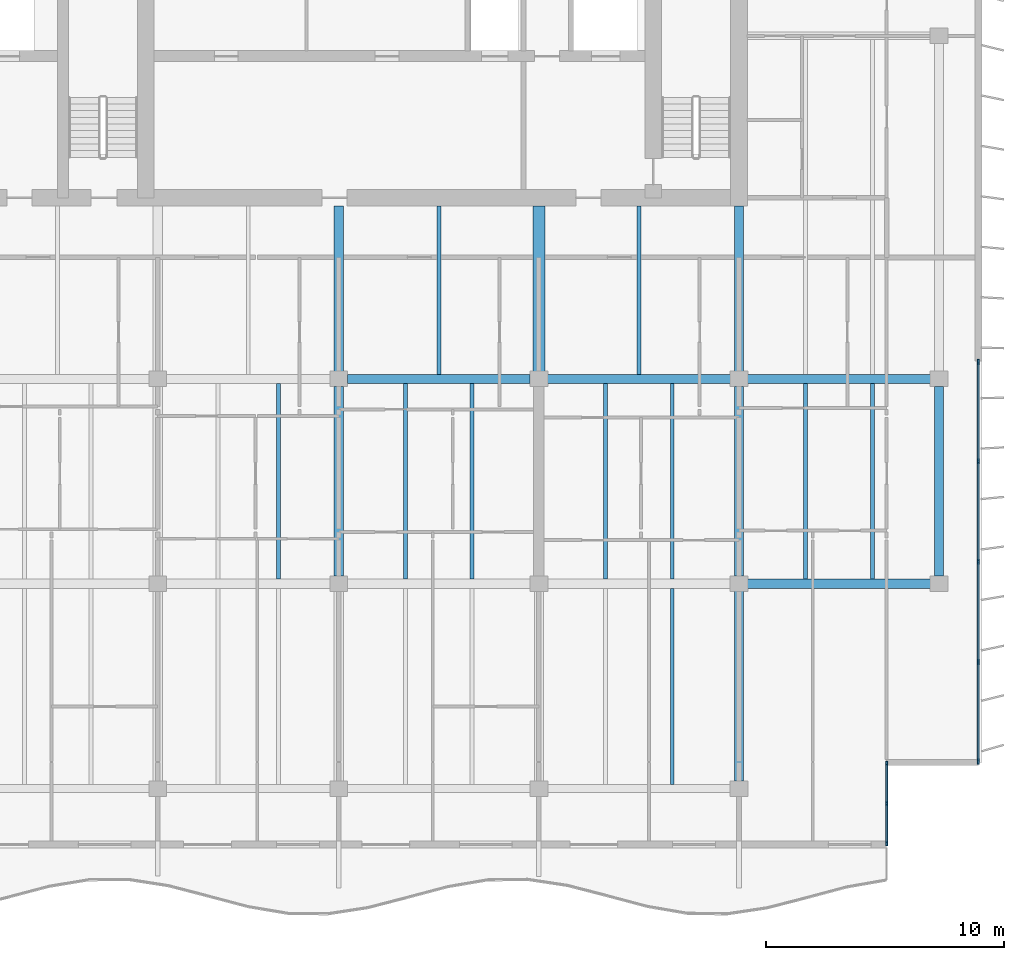
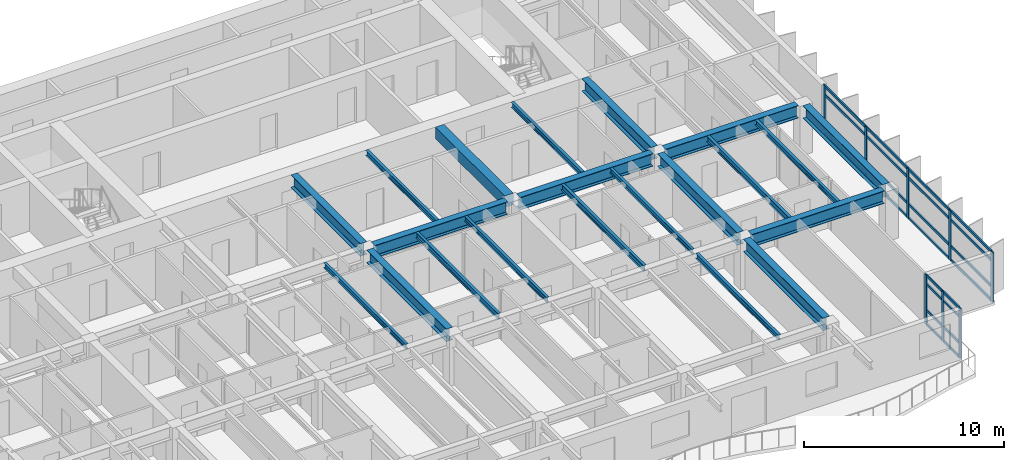
# One storey, part 4 of 17: 32 members, 21 beams, 2 elements without a shape of their own.
"""IFC4 building model written with IfcOpenShell, lengths in metres."""

from ifc_helpers import new_model, si_unit, direction, frame, origin, origin_2d, place, context, subcontext, project, spatial, rectangle, i_section, extrude, material, layer, layer_set, material_profile, profile_set, type_object, element, aggregate, save


model = new_model("IFC4")

# Units and contexts
model_context = context("Model", 3, precision=1e-05, world=origin(), true_north=direction((0.0, 1.0)))
body_context = subcontext(model_context, "Body", "Model", "MODEL_VIEW")
ifc_project = project(units=[si_unit("LENGTHUNIT", "METRE"), si_unit("AREAUNIT", "SQUARE_METRE"), si_unit("VOLUMEUNIT", "CUBIC_METRE"), si_unit("PLANEANGLEUNIT", "RADIAN"), si_unit("MASSUNIT", "GRAM", prefix="KILO")], contexts=[model_context])

# Site, building, storey
site_placement = place(None, origin())
site = spatial("IfcSite", under=ifc_project, at=site_placement, CompositionType="ELEMENT")
building_placement = place(site_placement, origin())
building = spatial("IfcBuilding", under=site, at=building_placement, Name="Caelmar Bay Residences", CompositionType="ELEMENT")
storey_placement = place(building_placement, frame((0.0, 0.0, 229.800048828125)))
storey = spatial("IfcBuildingStorey", under=building, at=storey_placement, Name="L64", CompositionType="ELEMENT", Elevation=229.800048828125)

# Beams
ifc_material_1 = material(Name="Steel ASTM A992 Grade 50", Category="steel")
ifc_material_profile_1 = material_profile(ifc_material_1, i_section(OverallWidth=0.381103515625, OverallDepth=0.77197265625, WebThickness=0.0166015625, FlangeThickness=0.027099609375, FilletRadius=0.0166015625, at=origin_2d()), Name="W30X173")
ifc_profile_set_1 = profile_set([ifc_material_profile_1], Name="Steel ASTM A992 Grade 50")
beam_type_1 = type_object("IfcBeamType", Name="BM-GRD-W30X173", PredefinedType="BEAM", material=ifc_profile_set_1)
beam_1_placement = place(storey_placement, frame((59.864990234375, 20.800048828125, 2.6640625), z_axis=(1.0, 0.0, 0.0), x_axis=(0.0, 1.0, 0.0)))
element("IfcBeam", 1, at=beam_1_placement, inside=storey, type_object=beam_type_1, Name="L64 East-West Girder Y=20.80 (59.5-67.9)", PredefinedType="BEAM", context=body_context, shape_type="SweptSolid", body=[
    extrude(i_section(OverallWidth=0.381103515625, OverallDepth=0.77197265625, WebThickness=0.0166015625, FlangeThickness=0.027099609375, FilletRadius=0.0166015625, at=origin_2d()), origin(), (0.0, 0.0, 1.0), 7.669921875),
])
beam_2_placement = place(storey_placement, frame((43.06494140625, 29.39990234375, 2.6640625), z_axis=(1.0, 0.0, 0.0), x_axis=(0.0, 1.0, 0.0)))
element("IfcBeam", 2, at=beam_2_placement, inside=storey, type_object=beam_type_1, Name="L64 East-West Girder Y=29.40 (42.7-51.1)", PredefinedType="BEAM", context=body_context, shape_type="SweptSolid", body=[
    extrude(i_section(OverallWidth=0.381103515625, OverallDepth=0.77197265625, WebThickness=0.0166015625, FlangeThickness=0.027099609375, FilletRadius=0.0166015625, at=origin_2d()), origin(), (0.0, 0.0, 1.0), 7.670166015625),
])
for number, where, z_axis, x_axis, name in (
    (3, (51.465087890625, 29.39990234375, 2.6640625), (1.0, 0.0, 0.0), (0.0, 1.0, 0.0), "L64 East-West Girder Y=29.40 (51.1-59.5)"),
    (4, (59.864990234375, 29.39990234375, 2.6640625), (1.0, 0.0, 0.0), (0.0, 1.0, 0.0), "L64 East-West Girder Y=29.40 (59.5-67.9)"),
):
    element("IfcBeam", number, at=place(storey_placement, frame(where, z_axis=z_axis, x_axis=x_axis)), inside=storey, type_object=beam_type_1, Name=name, PredefinedType="BEAM", context=body_context, shape_type="SweptSolid", body=[
        extrude(i_section(OverallWidth=0.381103515625, OverallDepth=0.77197265625, WebThickness=0.0166015625, FlangeThickness=0.027099609375, FilletRadius=0.0166015625, at=origin_2d()), origin(), (0.0, 0.0, 1.0), 7.669921875),
    ])
beam_3_placement = place(storey_placement, frame((42.699951171875, 29.715087890625, 2.6640625), z_axis=(0.0, 1.0, 0.0), x_axis=(-1.0, 0.0, 0.0)))
element("IfcBeam", 5, at=beam_3_placement, inside=storey, type_object=beam_type_1, Name="L64 Core Tie Girder X=42.70", PredefinedType="BEAM", context=body_context, shape_type="SweptSolid", body=[
    extrude(i_section(OverallWidth=0.381103515625, OverallDepth=0.77197265625, WebThickness=0.0166015625, FlangeThickness=0.027099609375, FilletRadius=0.0166015625, at=origin_2d()), origin(), (0.0, 0.0, 1.0), 6.934814453125),
])
beam_4_placement = place(storey_placement, frame((42.699951171875, 21.114990234375, 2.6640625), z_axis=(0.0, 1.0, 0.0), x_axis=(-1.0, 0.0, 0.0)))
element("IfcBeam", 6, at=beam_4_placement, inside=storey, type_object=beam_type_1, Name="L64 North-South Girder X=42.70 (20.8-29.4)", PredefinedType="BEAM", context=body_context, shape_type="SweptSolid", body=[
    extrude(i_section(OverallWidth=0.381103515625, OverallDepth=0.77197265625, WebThickness=0.0166015625, FlangeThickness=0.027099609375, FilletRadius=0.0166015625, at=origin_2d()), origin(), (0.0, 0.0, 1.0), 7.969970703125),
])
beam_5_placement = place(storey_placement, frame((59.5, 29.715087890625, 2.6640625), z_axis=(0.0, 1.0, 0.0), x_axis=(-1.0, 0.0, 0.0)))
element("IfcBeam", 7, at=beam_5_placement, inside=storey, type_object=beam_type_1, Name="L64 Core Tie Girder X=59.50", PredefinedType="BEAM", context=body_context, shape_type="SweptSolid", body=[
    extrude(i_section(OverallWidth=0.381103515625, OverallDepth=0.77197265625, WebThickness=0.0166015625, FlangeThickness=0.027099609375, FilletRadius=0.0166015625, at=origin_2d()), origin(), (0.0, 0.0, 1.0), 6.934814453125),
])
beam_6_placement = place(storey_placement, frame((59.5, 12.514892578125, 2.6640625), z_axis=(0.0, 1.0, 0.0), x_axis=(-1.0, 0.0, 0.0)))
element("IfcBeam", 8, at=beam_6_placement, inside=storey, type_object=beam_type_1, Name="L64 North-South Girder X=59.50 (12.2-20.8)", PredefinedType="BEAM", context=body_context, shape_type="SweptSolid", body=[
    extrude(i_section(OverallWidth=0.381103515625, OverallDepth=0.77197265625, WebThickness=0.0166015625, FlangeThickness=0.027099609375, FilletRadius=0.0166015625, at=origin_2d()), origin(), (0.0, 0.0, 1.0), 7.97021484375),
])
for number, where, z_axis, x_axis, name in (
    (9, (59.5, 21.114990234375, 2.6640625), (0.0, 1.0, 0.0), (-1.0, 0.0, 0.0), "L64 North-South Girder X=59.50 (20.8-29.4)"),
    (10, (67.89990234375, 21.114990234375, 2.6640625), (0.0, 1.0, 0.0), (-1.0, 0.0, 0.0), "L64 North-South Girder X=67.90 (20.8-29.4)"),
):
    element("IfcBeam", number, at=place(storey_placement, frame(where, z_axis=z_axis, x_axis=x_axis)), inside=storey, type_object=beam_type_1, Name=name, PredefinedType="BEAM", context=body_context, shape_type="SweptSolid", body=[
        extrude(i_section(OverallWidth=0.381103515625, OverallDepth=0.77197265625, WebThickness=0.0166015625, FlangeThickness=0.027099609375, FilletRadius=0.0166015625, at=origin_2d()), origin(), (0.0, 0.0, 1.0), 7.969970703125),
    ])
ifc_material_profile_2 = material_profile(ifc_material_1, i_section(OverallWidth=0.1650390625, OverallDepth=0.31005859375, WebThickness=0.005859375, FlangeThickness=0.009765625, FilletRadius=0.007568359375, at=origin_2d()), Name="W12X26")
ifc_profile_set_2 = profile_set([ifc_material_profile_2], Name="Steel ASTM A992 Grade 50")
beam_type_2 = type_object("IfcBeamType", Name="BM-JST-W12X26", PredefinedType="JOIST", material=ifc_profile_set_2)
beam_7_placement = place(storey_placement, frame((56.699951171875, 12.362548828125, 2.89501953125), z_axis=(0.0, 1.0, 0.0), x_axis=(-1.0, 0.0, 0.0)))
element("IfcBeam", 11, at=beam_7_placement, inside=storey, type_object=beam_type_2, Name="L64 Composite Floor Joist 10", PredefinedType="JOIST", context=body_context, shape_type="SweptSolid", body=[
    extrude(i_section(OverallWidth=0.1650390625, OverallDepth=0.31005859375, WebThickness=0.005859375, FlangeThickness=0.009765625, FilletRadius=0.007568359375, at=origin_2d()), origin(), (0.0, 0.0, 1.0), 8.2470703125),
])
for number, where, z_axis, x_axis, name in (
    (12, (40.166748046875, 20.990478515625, 2.89501953125), (0.0, 1.0, 0.0), (-1.0, 0.0, 0.0), "L64 Composite Floor Joist 18"),
    (13, (48.300048828125, 20.990478515625, 2.89501953125), (0.0, 1.0, 0.0), (-1.0, 0.0, 0.0), "L64 Composite Floor Joist 20"),
    (14, (56.699951171875, 20.990478515625, 2.89501953125), (0.0, 1.0, 0.0), (-1.0, 0.0, 0.0), "L64 Composite Floor Joist 22"),
    (15, (65.10009765625, 20.990478515625, 2.89501953125), (0.0, 1.0, 0.0), (-1.0, 0.0, 0.0), "L64 Composite Floor Joist 24"),
):
    element("IfcBeam", number, at=place(storey_placement, frame(where, z_axis=z_axis, x_axis=x_axis)), inside=storey, type_object=beam_type_2, Name=name, PredefinedType="JOIST", context=body_context, shape_type="SweptSolid", body=[
        extrude(i_section(OverallWidth=0.1650390625, OverallDepth=0.31005859375, WebThickness=0.005859375, FlangeThickness=0.009765625, FilletRadius=0.007568359375, at=origin_2d()), origin(), (0.0, 0.0, 1.0), 8.218994140625),
    ])
for number, where, z_axis, x_axis, name in (
    (16, (46.89990234375, 29.590576171875, 2.89501953125), (0.0, 1.0, 0.0), (-1.0, 0.0, 0.0), "L64 Core-Band Composite Joist 28"),
    (17, (55.300048828125, 29.590576171875, 2.89501953125), (0.0, 1.0, 0.0), (-1.0, 0.0, 0.0), "L64 Core-Band Composite Joist 29"),
):
    element("IfcBeam", number, at=place(storey_placement, frame(where, z_axis=z_axis, x_axis=x_axis)), inside=storey, type_object=beam_type_2, Name=name, PredefinedType="JOIST", context=body_context, shape_type="SweptSolid", body=[
        extrude(i_section(OverallWidth=0.1650390625, OverallDepth=0.31005859375, WebThickness=0.005859375, FlangeThickness=0.009765625, FilletRadius=0.007568359375, at=origin_2d()), origin(), (0.0, 0.0, 1.0), 7.059326171875),
    ])
ifc_material_profile_3 = material_profile(ifc_material_1, i_section(OverallWidth=0.1708984375, OverallDepth=0.35595703125, WebThickness=0.007080078125, FlangeThickness=0.01171875, FilletRadius=0.007568359375, at=origin_2d()), Name="W14X34")
ifc_profile_set_3 = profile_set([ifc_material_profile_3], Name="Steel ASTM A992 Grade 50")
beam_type_3 = type_object("IfcBeamType", Name="BM-JST-W14X34", PredefinedType="JOIST", material=ifc_profile_set_3)
for number, where, z_axis, x_axis, name in (
    (18, (45.5, 20.990478515625, 2.8720703125), (0.0, 1.0, 0.0), (-1.0, 0.0, 0.0), "L64 Composite Floor Joist 19"),
    (19, (53.89990234375, 20.990478515625, 2.8720703125), (0.0, 1.0, 0.0), (-1.0, 0.0, 0.0), "L64 Composite Floor Joist 21"),
    (20, (62.300048828125, 20.990478515625, 2.8720703125), (0.0, 1.0, 0.0), (-1.0, 0.0, 0.0), "L64 Composite Floor Joist 23"),
):
    element("IfcBeam", number, at=place(storey_placement, frame(where, z_axis=z_axis, x_axis=x_axis)), inside=storey, type_object=beam_type_3, Name=name, PredefinedType="JOIST", context=body_context, shape_type="SweptSolid", body=[
        extrude(i_section(OverallWidth=0.1708984375, OverallDepth=0.35595703125, WebThickness=0.007080078125, FlangeThickness=0.01171875, FilletRadius=0.007568359375, at=origin_2d()), origin(), (0.0, 0.0, 1.0), 8.218994140625),
    ])
ifc_material_2 = material(Name="Concrete f'c 55 MPa (8,000 psi)", Category="concrete")
ifc_material_profile_4 = material_profile(ifc_material_2, rectangle(XDim=0.5, YDim=0.699951171875, at=origin_2d()), Name="RC-BM-500X700")
ifc_profile_set_4 = profile_set([ifc_material_profile_4], Name="Concrete f'c 55 MPa (8,000 psi)")
beam_type_4 = type_object("IfcBeamType", Name="BM-RC-500X700", PredefinedType="LINTEL", material=ifc_profile_set_4)
beam_8_placement = place(storey_placement, frame((51.10009765625, 29.715087890625, 2.699951171875), z_axis=(0.0, 1.0, 0.0), x_axis=(-1.0, 0.0, 0.0)))
element("IfcBeam", 21, at=beam_8_placement, inside=storey, type_object=beam_type_4, Name="L64 Shear-Wall Corridor Coupling Lintel E8", PredefinedType="LINTEL", context=body_context, shape_type="SweptSolid", body=[
    extrude(rectangle(XDim=0.5, YDim=0.699951171875, at=origin_2d()), origin(), (0.0, 0.0, 1.0), 6.934814453125),
])

# Curtain wall, members
ifc_material_3 = material(Name="Anodised bronze aluminium 6063-T6 and laminated glass", Category="aluminium")
ifc_layer_1 = layer(ifc_material_3, 0.179931640625)
ifc_layer_set_1 = layer_set([ifc_layer_1], Name="Anodised bronze aluminium 6063-T6 and laminated glass")
curtain_wall_type_1 = type_object("IfcCurtainWallType", Name="CW6-NTC", PredefinedType="NOTDEFINED", material=ifc_layer_set_1)
curtain_wall_1_placement = place(storey_placement, origin())
curtain_wall_1 = element("IfcCurtainWall", 22, at=curtain_wall_1_placement, inside=storey, type_object=curtain_wall_type_1, Name="CW6 curtain wall L64", PredefinedType="NOTDEFINED")
ifc_material_4 = material(Name="Anodised bronze aluminium 6063-T6", Category="aluminium")
ifc_material_profile_5 = material_profile(ifc_material_4, rectangle(XDim=0.080078125, YDim=0.179931640625, at=origin_2d()), Name="CWM-80X180")
ifc_profile_set_5 = profile_set([ifc_material_profile_5], Name="Anodised bronze aluminium 6063-T6")
member_type_1 = type_object("IfcMemberType", Name="CWM-180", PredefinedType="MULLION", material=ifc_profile_set_5)
member_1_placement = place(storey_placement, frame((65.699951171875, 9.889892578125, 0.0), z_axis=(0.0, 0.0, 1.0), x_axis=(-1.0, 0.0, 0.0)))
member_1 = element("IfcMember", 23, at=member_1_placement, type_object=member_type_1, Name="CW6 mullion 1", PredefinedType="MULLION", context=body_context, shape_type="SweptSolid", body=[
    extrude(rectangle(XDim=0.080078125, YDim=0.179931640625, at=origin_2d()), origin(), (0.0, 0.0, 1.0), 3.050048828125),
])
member_2_placement = place(storey_placement, frame((65.699951171875, 11.574951171875, 0.0), z_axis=(0.0, 0.0, 1.0), x_axis=(-1.0, 0.0, 0.0)))
member_2 = element("IfcMember", 24, at=member_2_placement, type_object=member_type_1, Name="CW6 mullion 2", PredefinedType="MULLION", context=body_context, shape_type="SweptSolid", body=[
    extrude(rectangle(XDim=0.080078125, YDim=0.179931640625, at=origin_2d()), origin(), (0.0, 0.0, 1.0), 3.050048828125),
])
member_3_placement = place(storey_placement, frame((65.699951171875, 13.260009765625, 0.0), z_axis=(0.0, 0.0, 1.0), x_axis=(-1.0, 0.0, 0.0)))
member_3 = element("IfcMember", 25, at=member_3_placement, type_object=member_type_1, Name="CW6 mullion 3", PredefinedType="MULLION", context=body_context, shape_type="SweptSolid", body=[
    extrude(rectangle(XDim=0.080078125, YDim=0.179931640625, at=origin_2d()), origin(), (0.0, 0.0, 1.0), 3.050048828125),
])

ifc_layer_2 = layer(ifc_material_3, 0.179931640625)
ifc_layer_set_2 = layer_set([ifc_layer_2], Name="Anodised bronze aluminium 6063-T6 and laminated glass")
curtain_wall_type_2 = type_object("IfcCurtainWallType", Name="CW5-Z4", PredefinedType="NOTDEFINED", material=ifc_layer_set_2)
curtain_wall_2_placement = place(storey_placement, origin())
curtain_wall_2 = element("IfcCurtainWall", 26, at=curtain_wall_2_placement, inside=storey, type_object=curtain_wall_type_2, Name="CW5 curtain wall L64", PredefinedType="NOTDEFINED")
ifc_material_profile_6 = material_profile(ifc_material_4, rectangle(XDim=0.080078125, YDim=0.219970703125, at=origin_2d()), Name="CWM-80X220")
ifc_profile_set_6 = profile_set([ifc_material_profile_6], Name="Anodised bronze aluminium 6063-T6")
member_type_2 = type_object("IfcMemberType", Name="CWM-220", PredefinedType="MULLION", material=ifc_profile_set_6)
member_4_placement = place(storey_placement, frame((69.550048828125, 30.110107421875, 0.0), z_axis=(0.0, 0.0, 1.0), x_axis=(1.0, 0.0, 0.0)))
member_4 = element("IfcMember", 27, at=member_4_placement, type_object=member_type_2, Name="CW5 mullion 1", PredefinedType="MULLION", context=body_context, shape_type="SweptSolid", body=[
    extrude(rectangle(XDim=0.080078125, YDim=0.219970703125, at=origin_2d()), origin(), (0.0, 0.0, 1.0), 3.050048828125),
])
member_5_placement = place(storey_placement, frame((69.550048828125, 25.9375, 0.0), z_axis=(0.0, 0.0, 1.0), x_axis=(1.0, 0.0, 0.0)))
member_5 = element("IfcMember", 28, at=member_5_placement, type_object=member_type_2, Name="CW5 mullion 2", PredefinedType="MULLION", context=body_context, shape_type="SweptSolid", body=[
    extrude(rectangle(XDim=0.080078125, YDim=0.219970703125, at=origin_2d()), origin(), (0.0, 0.0, 1.0), 3.050048828125),
])
member_6_placement = place(storey_placement, frame((69.550048828125, 21.72509765625, 0.0), z_axis=(0.0, 0.0, 1.0), x_axis=(1.0, 0.0, 0.0)))
member_6 = element("IfcMember", 29, at=member_6_placement, type_object=member_type_2, Name="CW5 mullion 3", PredefinedType="MULLION", context=body_context, shape_type="SweptSolid", body=[
    extrude(rectangle(XDim=0.080078125, YDim=0.219970703125, at=origin_2d()), origin(), (0.0, 0.0, 1.0), 3.050048828125),
])
member_7_placement = place(storey_placement, frame((69.550048828125, 17.512451171875, 0.0), z_axis=(0.0, 0.0, 1.0), x_axis=(1.0, 0.0, 0.0)))
member_7 = element("IfcMember", 30, at=member_7_placement, type_object=member_type_2, Name="CW5 mullion 4", PredefinedType="MULLION", context=body_context, shape_type="SweptSolid", body=[
    extrude(rectangle(XDim=0.080078125, YDim=0.219970703125, at=origin_2d()), origin(), (0.0, 0.0, 1.0), 3.050048828125),
])
member_8_placement = place(storey_placement, frame((69.550048828125, 13.340087890625, 0.0), z_axis=(0.0, 0.0, 1.0), x_axis=(1.0, 0.0, 0.0)))
member_8 = element("IfcMember", 31, at=member_8_placement, type_object=member_type_2, Name="CW5 mullion 5", PredefinedType="MULLION", context=body_context, shape_type="SweptSolid", body=[
    extrude(rectangle(XDim=0.080078125, YDim=0.219970703125, at=origin_2d()), origin(), (0.0, 0.0, 1.0), 3.050048828125),
])

# Member
ifc_material_profile_7 = material_profile(ifc_material_4, rectangle(XDim=0.080078125, YDim=0.139892578125, at=origin_2d()), Name="CWT-80X140")
ifc_profile_set_7 = profile_set([ifc_material_profile_7], Name="Anodised bronze aluminium 6063-T6")
member_type_3 = type_object("IfcMemberType", Name="CWT-140", PredefinedType="NOTDEFINED", material=ifc_profile_set_7)
member_9_placement = place(storey_placement, frame((65.699951171875, 9.929931640625, 0.0400390625), z_axis=(0.0, 1.0, 0.0), x_axis=(-1.0, 0.0, 0.0)))
member_9 = element("IfcMember", 32, at=member_9_placement, type_object=member_type_3, Name="CW6 transom 1.1", ObjectType="TRANSOM", PredefinedType="USERDEFINED", context=body_context, shape_type="SweptSolid", body=[
    extrude(rectangle(XDim=0.080078125, YDim=0.139892578125, at=origin_2d()), origin(), (0.0, 0.0, 1.0), 1.60498046875),
])

member_10_placement = place(storey_placement, frame((65.699951171875, 9.929931640625, 0.89990234375), z_axis=(0.0, 1.0, 0.0), x_axis=(-1.0, 0.0, 0.0)))
member_10 = element("IfcMember", 33, at=member_10_placement, type_object=member_type_3, Name="CW6 transom 1.2", ObjectType="TRANSOM", PredefinedType="USERDEFINED", context=body_context, shape_type="SweptSolid", body=[
    extrude(rectangle(XDim=0.080078125, YDim=0.139892578125, at=origin_2d()), origin(), (0.0, 0.0, 1.0), 1.60498046875),
])

member_11_placement = place(storey_placement, frame((65.699951171875, 9.929931640625, 2.5), z_axis=(0.0, 1.0, 0.0), x_axis=(-1.0, 0.0, 0.0)))
member_11 = element("IfcMember", 34, at=member_11_placement, type_object=member_type_3, Name="CW6 transom 1.3", ObjectType="TRANSOM", PredefinedType="USERDEFINED", context=body_context, shape_type="SweptSolid", body=[
    extrude(rectangle(XDim=0.080078125, YDim=0.139892578125, at=origin_2d()), origin(), (0.0, 0.0, 1.0), 1.60498046875),
])

member_12_placement = place(storey_placement, frame((65.699951171875, 9.929931640625, 3.010009765625), z_axis=(0.0, 1.0, 0.0), x_axis=(-1.0, 0.0, 0.0)))
member_12 = element("IfcMember", 35, at=member_12_placement, type_object=member_type_3, Name="CW6 transom 1.4", ObjectType="TRANSOM", PredefinedType="USERDEFINED", context=body_context, shape_type="SweptSolid", body=[
    extrude(rectangle(XDim=0.080078125, YDim=0.139892578125, at=origin_2d()), origin(), (0.0, 0.0, 1.0), 1.60498046875),
])

member_13_placement = place(storey_placement, frame((65.699951171875, 11.614990234375, 0.0400390625), z_axis=(0.0, 1.0, 0.0), x_axis=(-1.0, 0.0, 0.0)))
member_13 = element("IfcMember", 36, at=member_13_placement, type_object=member_type_3, Name="CW6 transom 2.1", ObjectType="TRANSOM", PredefinedType="USERDEFINED", context=body_context, shape_type="SweptSolid", body=[
    extrude(rectangle(XDim=0.080078125, YDim=0.139892578125, at=origin_2d()), origin(), (0.0, 0.0, 1.0), 1.60498046875),
])

member_14_placement = place(storey_placement, frame((65.699951171875, 11.614990234375, 0.89990234375), z_axis=(0.0, 1.0, 0.0), x_axis=(-1.0, 0.0, 0.0)))
member_14 = element("IfcMember", 37, at=member_14_placement, type_object=member_type_3, Name="CW6 transom 2.2", ObjectType="TRANSOM", PredefinedType="USERDEFINED", context=body_context, shape_type="SweptSolid", body=[
    extrude(rectangle(XDim=0.080078125, YDim=0.139892578125, at=origin_2d()), origin(), (0.0, 0.0, 1.0), 1.60498046875),
])

member_15_placement = place(storey_placement, frame((65.699951171875, 11.614990234375, 2.5), z_axis=(0.0, 1.0, 0.0), x_axis=(-1.0, 0.0, 0.0)))
member_15 = element("IfcMember", 38, at=member_15_placement, type_object=member_type_3, Name="CW6 transom 2.3", ObjectType="TRANSOM", PredefinedType="USERDEFINED", context=body_context, shape_type="SweptSolid", body=[
    extrude(rectangle(XDim=0.080078125, YDim=0.139892578125, at=origin_2d()), origin(), (0.0, 0.0, 1.0), 1.60498046875),
])

member_16_placement = place(storey_placement, frame((65.699951171875, 11.614990234375, 3.010009765625), z_axis=(0.0, 1.0, 0.0), x_axis=(-1.0, 0.0, 0.0)))
member_16 = element("IfcMember", 39, at=member_16_placement, type_object=member_type_3, Name="CW6 transom 2.4", ObjectType="TRANSOM", PredefinedType="USERDEFINED", context=body_context, shape_type="SweptSolid", body=[
    extrude(rectangle(XDim=0.080078125, YDim=0.139892578125, at=origin_2d()), origin(), (0.0, 0.0, 1.0), 1.60498046875),
])

aggregate(curtain_wall_1, [member_1, member_2, member_3, member_9, member_10, member_11, member_12, member_13, member_14, member_15, member_16])

ifc_material_profile_8 = material_profile(ifc_material_4, rectangle(XDim=0.080078125, YDim=0.159912109375, at=origin_2d()), Name="CWT-80X160")
ifc_profile_set_8 = profile_set([ifc_material_profile_8], Name="Anodised bronze aluminium 6063-T6")
member_type_4 = type_object("IfcMemberType", Name="CWT-160", PredefinedType="NOTDEFINED", material=ifc_profile_set_8)
member_17_placement = place(storey_placement, frame((69.550048828125, 30.070068359375, 0.0400390625), z_axis=(0.0, -1.0, 0.0), x_axis=(1.0, 0.0, 0.0)))
member_17 = element("IfcMember", 40, at=member_17_placement, type_object=member_type_4, Name="CW5 transom 1.1", ObjectType="TRANSOM", PredefinedType="USERDEFINED", context=body_context, shape_type="SweptSolid", body=[
    extrude(rectangle(XDim=0.080078125, YDim=0.159912109375, at=origin_2d()), origin(), (0.0, 0.0, 1.0), 4.092529296875),
])

member_18_placement = place(storey_placement, frame((69.550048828125, 30.070068359375, 0.89990234375), z_axis=(0.0, -1.0, 0.0), x_axis=(1.0, 0.0, 0.0)))
member_18 = element("IfcMember", 41, at=member_18_placement, type_object=member_type_4, Name="CW5 transom 1.2", ObjectType="TRANSOM", PredefinedType="USERDEFINED", context=body_context, shape_type="SweptSolid", body=[
    extrude(rectangle(XDim=0.080078125, YDim=0.159912109375, at=origin_2d()), origin(), (0.0, 0.0, 1.0), 4.092529296875),
])

member_19_placement = place(storey_placement, frame((69.550048828125, 30.070068359375, 2.5), z_axis=(0.0, -1.0, 0.0), x_axis=(1.0, 0.0, 0.0)))
member_19 = element("IfcMember", 42, at=member_19_placement, type_object=member_type_4, Name="CW5 transom 1.3", ObjectType="TRANSOM", PredefinedType="USERDEFINED", context=body_context, shape_type="SweptSolid", body=[
    extrude(rectangle(XDim=0.080078125, YDim=0.159912109375, at=origin_2d()), origin(), (0.0, 0.0, 1.0), 4.092529296875),
])

member_20_placement = place(storey_placement, frame((69.550048828125, 30.070068359375, 3.010009765625), z_axis=(0.0, -1.0, 0.0), x_axis=(1.0, 0.0, 0.0)))
member_20 = element("IfcMember", 43, at=member_20_placement, type_object=member_type_4, Name="CW5 transom 1.4", ObjectType="TRANSOM", PredefinedType="USERDEFINED", context=body_context, shape_type="SweptSolid", body=[
    extrude(rectangle(XDim=0.080078125, YDim=0.159912109375, at=origin_2d()), origin(), (0.0, 0.0, 1.0), 4.092529296875),
])

member_21_placement = place(storey_placement, frame((69.550048828125, 25.8974609375, 0.0400390625), z_axis=(0.0, -1.0, 0.0), x_axis=(1.0, 0.0, 0.0)))
member_21 = element("IfcMember", 44, at=member_21_placement, type_object=member_type_4, Name="CW5 transom 2.1", ObjectType="TRANSOM", PredefinedType="USERDEFINED", context=body_context, shape_type="SweptSolid", body=[
    extrude(rectangle(XDim=0.080078125, YDim=0.159912109375, at=origin_2d()), origin(), (0.0, 0.0, 1.0), 4.132568359375),
])

member_22_placement = place(storey_placement, frame((69.550048828125, 25.8974609375, 0.89990234375), z_axis=(0.0, -1.0, 0.0), x_axis=(1.0, 0.0, 0.0)))
member_22 = element("IfcMember", 45, at=member_22_placement, type_object=member_type_4, Name="CW5 transom 2.2", ObjectType="TRANSOM", PredefinedType="USERDEFINED", context=body_context, shape_type="SweptSolid", body=[
    extrude(rectangle(XDim=0.080078125, YDim=0.159912109375, at=origin_2d()), origin(), (0.0, 0.0, 1.0), 4.132568359375),
])

member_23_placement = place(storey_placement, frame((69.550048828125, 25.8974609375, 2.5), z_axis=(0.0, -1.0, 0.0), x_axis=(1.0, 0.0, 0.0)))
member_23 = element("IfcMember", 46, at=member_23_placement, type_object=member_type_4, Name="CW5 transom 2.3", ObjectType="TRANSOM", PredefinedType="USERDEFINED", context=body_context, shape_type="SweptSolid", body=[
    extrude(rectangle(XDim=0.080078125, YDim=0.159912109375, at=origin_2d()), origin(), (0.0, 0.0, 1.0), 4.132568359375),
])

member_24_placement = place(storey_placement, frame((69.550048828125, 25.8974609375, 3.010009765625), z_axis=(0.0, -1.0, 0.0), x_axis=(1.0, 0.0, 0.0)))
member_24 = element("IfcMember", 47, at=member_24_placement, type_object=member_type_4, Name="CW5 transom 2.4", ObjectType="TRANSOM", PredefinedType="USERDEFINED", context=body_context, shape_type="SweptSolid", body=[
    extrude(rectangle(XDim=0.080078125, YDim=0.159912109375, at=origin_2d()), origin(), (0.0, 0.0, 1.0), 4.132568359375),
])

member_25_placement = place(storey_placement, frame((69.550048828125, 21.68505859375, 0.0400390625), z_axis=(0.0, -1.0, 0.0), x_axis=(1.0, 0.0, 0.0)))
member_25 = element("IfcMember", 48, at=member_25_placement, type_object=member_type_4, Name="CW5 transom 3.1", ObjectType="TRANSOM", PredefinedType="USERDEFINED", context=body_context, shape_type="SweptSolid", body=[
    extrude(rectangle(XDim=0.080078125, YDim=0.159912109375, at=origin_2d()), origin(), (0.0, 0.0, 1.0), 4.132568359375),
])

member_26_placement = place(storey_placement, frame((69.550048828125, 21.68505859375, 0.89990234375), z_axis=(0.0, -1.0, 0.0), x_axis=(1.0, 0.0, 0.0)))
member_26 = element("IfcMember", 49, at=member_26_placement, type_object=member_type_4, Name="CW5 transom 3.2", ObjectType="TRANSOM", PredefinedType="USERDEFINED", context=body_context, shape_type="SweptSolid", body=[
    extrude(rectangle(XDim=0.080078125, YDim=0.159912109375, at=origin_2d()), origin(), (0.0, 0.0, 1.0), 4.132568359375),
])

member_27_placement = place(storey_placement, frame((69.550048828125, 21.68505859375, 2.5), z_axis=(0.0, -1.0, 0.0), x_axis=(1.0, 0.0, 0.0)))
member_27 = element("IfcMember", 50, at=member_27_placement, type_object=member_type_4, Name="CW5 transom 3.3", ObjectType="TRANSOM", PredefinedType="USERDEFINED", context=body_context, shape_type="SweptSolid", body=[
    extrude(rectangle(XDim=0.080078125, YDim=0.159912109375, at=origin_2d()), origin(), (0.0, 0.0, 1.0), 4.132568359375),
])

member_28_placement = place(storey_placement, frame((69.550048828125, 21.68505859375, 3.010009765625), z_axis=(0.0, -1.0, 0.0), x_axis=(1.0, 0.0, 0.0)))
member_28 = element("IfcMember", 51, at=member_28_placement, type_object=member_type_4, Name="CW5 transom 3.4", ObjectType="TRANSOM", PredefinedType="USERDEFINED", context=body_context, shape_type="SweptSolid", body=[
    extrude(rectangle(XDim=0.080078125, YDim=0.159912109375, at=origin_2d()), origin(), (0.0, 0.0, 1.0), 4.132568359375),
])

member_29_placement = place(storey_placement, frame((69.550048828125, 17.472412109375, 0.0400390625), z_axis=(0.0, -1.0, 0.0), x_axis=(1.0, 0.0, 0.0)))
member_29 = element("IfcMember", 52, at=member_29_placement, type_object=member_type_4, Name="CW5 transom 4.1", ObjectType="TRANSOM", PredefinedType="USERDEFINED", context=body_context, shape_type="SweptSolid", body=[
    extrude(rectangle(XDim=0.080078125, YDim=0.159912109375, at=origin_2d()), origin(), (0.0, 0.0, 1.0), 4.092529296875),
])

member_30_placement = place(storey_placement, frame((69.550048828125, 17.472412109375, 0.89990234375), z_axis=(0.0, -1.0, 0.0), x_axis=(1.0, 0.0, 0.0)))
member_30 = element("IfcMember", 53, at=member_30_placement, type_object=member_type_4, Name="CW5 transom 4.2", ObjectType="TRANSOM", PredefinedType="USERDEFINED", context=body_context, shape_type="SweptSolid", body=[
    extrude(rectangle(XDim=0.080078125, YDim=0.159912109375, at=origin_2d()), origin(), (0.0, 0.0, 1.0), 4.092529296875),
])

member_31_placement = place(storey_placement, frame((69.550048828125, 17.472412109375, 2.5), z_axis=(0.0, -1.0, 0.0), x_axis=(1.0, 0.0, 0.0)))
member_31 = element("IfcMember", 54, at=member_31_placement, type_object=member_type_4, Name="CW5 transom 4.3", ObjectType="TRANSOM", PredefinedType="USERDEFINED", context=body_context, shape_type="SweptSolid", body=[
    extrude(rectangle(XDim=0.080078125, YDim=0.159912109375, at=origin_2d()), origin(), (0.0, 0.0, 1.0), 4.092529296875),
])

member_32_placement = place(storey_placement, frame((69.550048828125, 17.472412109375, 3.010009765625), z_axis=(0.0, -1.0, 0.0), x_axis=(1.0, 0.0, 0.0)))
member_32 = element("IfcMember", 55, at=member_32_placement, type_object=member_type_4, Name="CW5 transom 4.4", ObjectType="TRANSOM", PredefinedType="USERDEFINED", context=body_context, shape_type="SweptSolid", body=[
    extrude(rectangle(XDim=0.080078125, YDim=0.159912109375, at=origin_2d()), origin(), (0.0, 0.0, 1.0), 4.092529296875),
])

aggregate(curtain_wall_2, [member_4, member_5, member_6, member_7, member_8, member_17, member_18, member_19, member_20, member_21, member_22, member_23, member_24, member_25, member_26, member_27, member_28, member_29, member_30, member_31, member_32])

save(model, "model.ifc")
